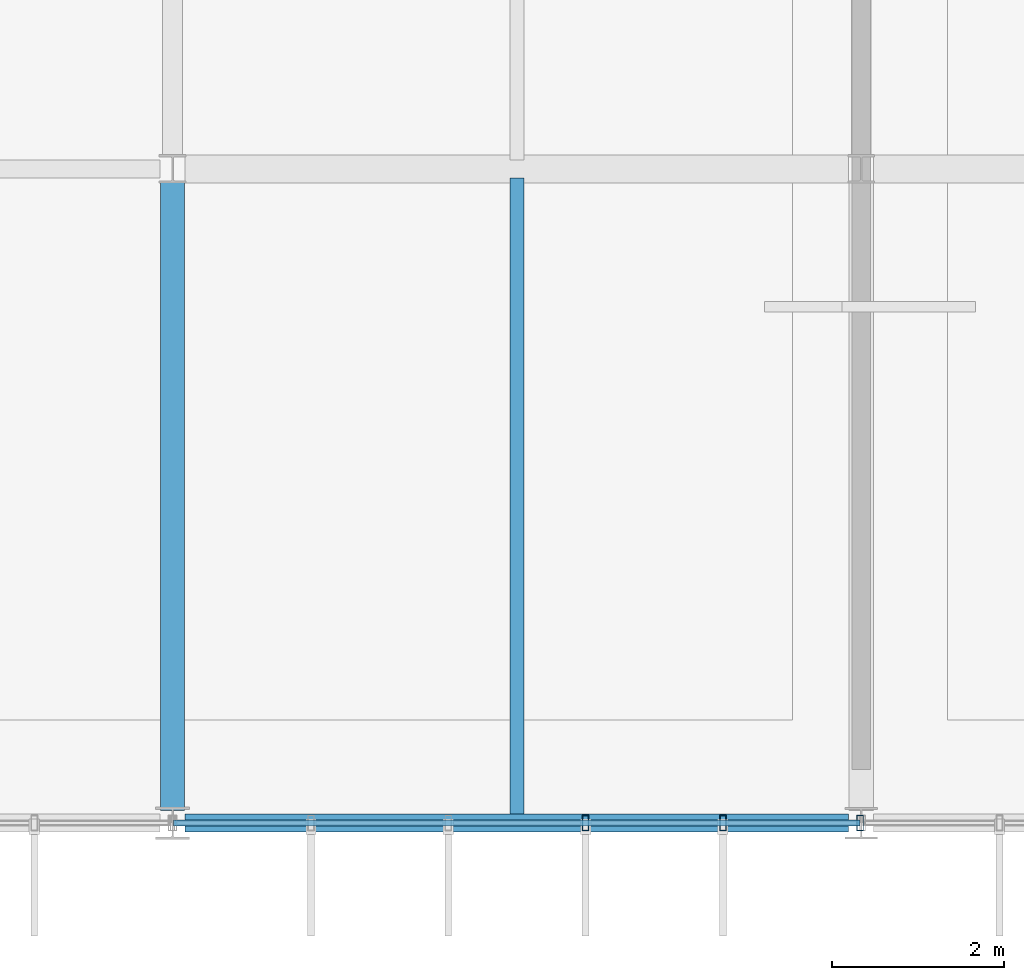
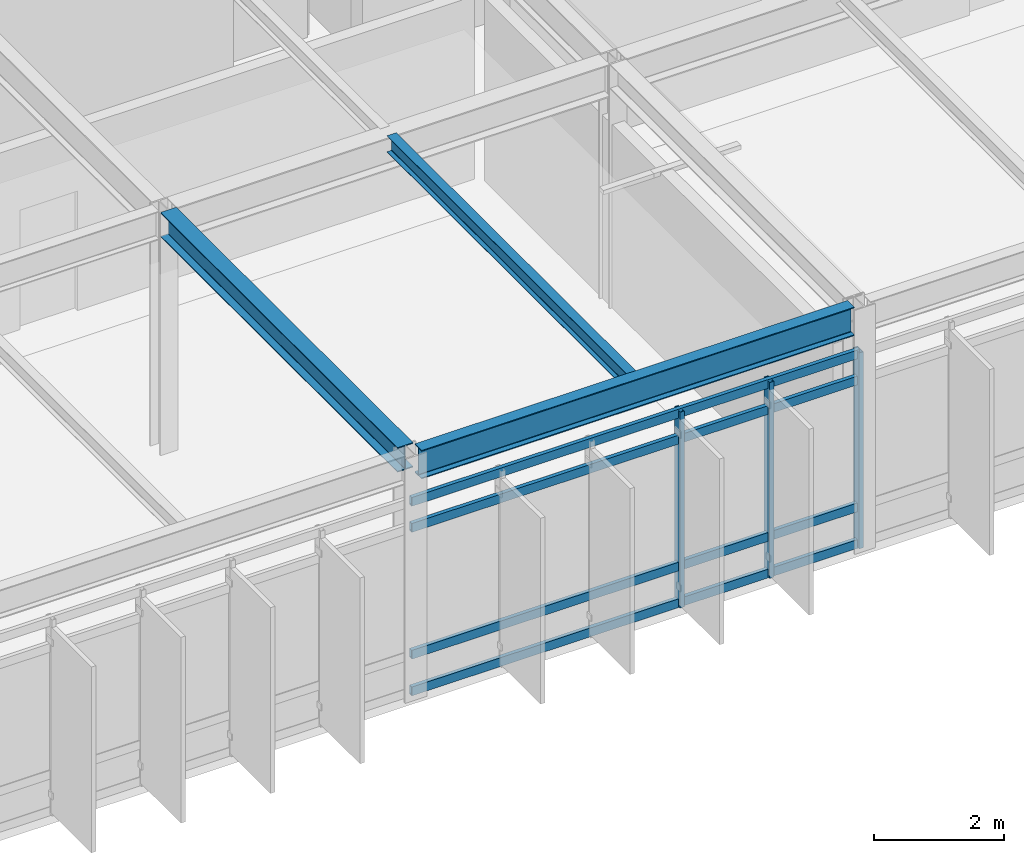
# One storey, part 20 of 100: 7 members, 3 beams, 1 element without a shape of its own.
"""IFC4 building model written with IfcOpenShell, lengths in metres."""

import ifcopenshell
import ifcopenshell.guid

model = None  # the IFC model being written
_history = None  # IfcOwnerHistory: only IFC2X3 demands one
_inside = {}  # id of a spatial element -> (the spatial element, [elements in it])
_under = {}  # id of a project, library or spatial element -> (it, [spatial elements below it])
_declared = {}  # id of a project -> (the project, [libraries it declares])
_typed = {}  # id of a type object -> (the type object, [elements of that type])
_made_of = {}  # id of a material, layer set ... -> (it, [elements and type objects made of it])


def new_model(schema):
    """Start an empty IFC model of exactly this schema.

    Asked for "IFC4X3", IfcOpenShell would pick the latest addendum, in which some entities
    have other attributes; the version numbers below select the first issue.
    IFC2X3 requires an IfcOwnerHistory on every rooted entity: one is made here for all.
    """
    global model, _history
    if schema == "IFC4X3":
        model = ifcopenshell.file(schema_version=(4, 3, 0, 0))
    else:
        model = ifcopenshell.file(schema=schema)
    _inside.clear()
    _under.clear()
    _declared.clear()
    _typed.clear()
    _made_of.clear()
    _history = None
    if model.schema == "IFC2X3":
        org = make("IfcOrganization", Name="unknown")
        user = make(
            "IfcPersonAndOrganization",
            ThePerson=make("IfcPerson", FamilyName="unknown"),
            TheOrganization=org,
        )
        app = make(
            "IfcApplication",
            ApplicationDeveloper=org,
            Version="unknown",
            ApplicationFullName="unknown",
            ApplicationIdentifier="unknown",
        )
        _history = make(
            "IfcOwnerHistory",
            OwningUser=user,
            OwningApplication=app,
            ChangeAction="ADDED",
            CreationDate=0,
        )
    return model


def make(cls, **values):
    """One entity of the class cls with the attributes given. An attribute that is None is left unset."""
    return model.create_entity(
        cls, **{name: value for name, value in values.items() if value is not None}
    )


def rooted(cls, **values):
    """An entity with a GlobalId (a new one), such as an element, a storey or a relation."""
    return make(cls, GlobalId=ifcopenshell.guid.new(), OwnerHistory=_history, **values)


def si_unit(unit_type, name, prefix=None):
    """IfcSIUnit, for example si_unit("LENGTHUNIT", "METRE", prefix="MILLI")."""
    return make("IfcSIUnit", UnitType=unit_type, Prefix=prefix, Name=name)


def assignment(units):
    """IfcUnitAssignment: the units of a project."""
    return None if units is None else make("IfcUnitAssignment", Units=units)


def point(xyz):
    """IfcCartesianPoint."""
    return None if xyz is None else make("IfcCartesianPoint", Coordinates=xyz)


def direction(xyz):
    """IfcDirection."""
    return None if xyz is None else make("IfcDirection", DirectionRatios=xyz)


def frame(location, z_axis=None, x_axis=None):
    """IfcAxis2Placement3D, a coordinate frame: its origin and axes. An axis left out is left unset."""
    return make(
        "IfcAxis2Placement3D",
        Location=point(location),
        Axis=direction(z_axis),
        RefDirection=direction(x_axis),
    )


def frame_2d(location, x_axis=None):
    """IfcAxis2Placement2D, a coordinate frame in the plane: its origin and x axis."""
    return make(
        "IfcAxis2Placement2D", Location=point(location), RefDirection=direction(x_axis)
    )


def origin():
    """The frame at (0, 0, 0) with its axes left unset."""
    return frame((0.0, 0.0, 0.0))


def origin_2d():
    """The frame at (0, 0) in the plane with its x axis left unset."""
    return frame_2d((0.0, 0.0))


def place(relative_to, where):
    """IfcLocalPlacement: puts the frame where relative to a parent placement (None: the world)."""
    return make(
        "IfcLocalPlacement", PlacementRelTo=relative_to, RelativePlacement=where
    )


def context(
    kind, dimensions, precision=None, world=None, true_north=None, identifier=None
):
    """IfcGeometricRepresentationContext, for example the 3D "Model" context."""
    return make(
        "IfcGeometricRepresentationContext",
        ContextIdentifier=identifier,
        ContextType=kind,
        CoordinateSpaceDimension=dimensions,
        Precision=precision,
        WorldCoordinateSystem=world,
        TrueNorth=true_north,
    )


def subcontext(parent, identifier, kind, view, scale=None):
    """IfcGeometricRepresentationSubContext, for example "Body" below "Model"."""
    return make(
        "IfcGeometricRepresentationSubContext",
        ContextIdentifier=identifier,
        ContextType=kind,
        ParentContext=parent,
        TargetScale=scale,
        TargetView=view,
    )


def project(units=None, contexts=None):
    """IfcProject with its units and contexts."""
    return rooted(
        "IfcProject",
        Name="project",
        RepresentationContexts=contexts,
        UnitsInContext=assignment(units),
    )


def spatial(cls, under=None, at=None, **own):
    """A site, building, storey or space (cls), placed at a placement, below another one or the project."""
    s = rooted(cls, ObjectPlacement=at, **own)
    if under is not None:
        _under.setdefault(under.id(), (under, []))[1].append(s)
    return s


def profile(cls, at=None, kind="AREA", **sizes):
    """A parametric profile (cls). Its sizes go by their IFC names, for example OverallWidth=200.0."""
    return make(cls, ProfileType=kind, Position=at, **sizes)


def hollow_rectangle(**sizes):
    """IfcRectangleHollowProfileDef."""
    return profile("IfcRectangleHollowProfileDef", **sizes)


def i_section(**sizes):
    """IfcIShapeProfileDef."""
    return profile("IfcIShapeProfileDef", **sizes)


def extrude(swept, where, along, depth):
    """IfcExtrudedAreaSolid: the profile swept, set in the frame where, extruded along a direction by depth."""
    return make(
        "IfcExtrudedAreaSolid",
        SweptArea=swept,
        Position=where,
        ExtrudedDirection=direction(along),
        Depth=depth,
    )


def shape(context_of_items, identifier, shape_type, items):
    """IfcShapeRepresentation: the items that make up one representation, for example the "Body"."""
    return make(
        "IfcShapeRepresentation",
        ContextOfItems=context_of_items,
        RepresentationIdentifier=identifier,
        RepresentationType=shape_type,
        Items=items,
    )


def material(Name=None, Category=None):
    """IfcMaterial."""
    return make("IfcMaterial", Name=Name, Category=Category)


def material_profile(
    of_material, cross_section, Name=None, Category=None, Priority=None
):
    """IfcMaterialProfile: a cross section and its material."""
    return make(
        "IfcMaterialProfile",
        Name=Name,
        Material=of_material,
        Profile=cross_section,
        Priority=Priority,
        Category=Category,
    )


def profile_set(profiles, Name=None, composite=None):
    """IfcMaterialProfileSet."""
    return make(
        "IfcMaterialProfileSet",
        Name=Name,
        MaterialProfiles=profiles,
        CompositeProfile=composite,
    )


def made_of(thing, what):
    """Note that an element or type object is made of a material, layer set ...; save() writes the relation."""
    if what is not None:
        _made_of.setdefault(what.id(), (what, []))[1].append(thing)
    return thing


def type_object(cls, material=None, **own):
    """A type object (cls), such as IfcWallType, which elements share."""
    return made_of(rooted(cls, **own), material)


def element(
    cls,
    number,
    at=None,
    inside=None,
    cuts=None,
    type_object=None,
    material=None,
    context=None,
    identifier="Body",
    shape_type=None,
    held_by="IfcProductDefinitionShape",
    body=None,
    shapes=None,
    **own,
):
    """One element of the class cls, such as IfcWall. Its Tag is "e" and its number.

    at: its placement. inside: the storey or other place that contains it. cuts: it is an
    opening in that element (IfcRelVoidsElement). A single representation is given by context,
    identifier, shape_type and body (its items); several are given by shapes. held_by: the class
    of the entity that holds the representations. save() writes the other relations.
    """
    e = rooted(cls, Tag="e%d" % number, ObjectPlacement=at, **own)
    if body is not None:
        shapes = [shape(context, identifier, shape_type, body)]
    if shapes is not None:
        e.Representation = make(held_by, Representations=shapes)
    if inside is not None:
        _inside.setdefault(inside.id(), (inside, []))[1].append(e)
    if cuts is not None:
        rooted(
            "IfcRelVoidsElement", RelatingBuildingElement=cuts, RelatedOpeningElement=e
        )
    if type_object is not None:
        _typed.setdefault(type_object.id(), (type_object, []))[1].append(e)
    return made_of(e, material)


def aggregate(whole, parts):
    """IfcRelAggregates: a whole, such as a stair, and the parts it consists of."""
    return rooted("IfcRelAggregates", RelatingObject=whole, RelatedObjects=parts)


def save(model, path):
    """Write the relations noted so far, then the file.

    IfcRelAggregates (storeys below a building ...), IfcRelContainedInSpatialStructure (elements
    in a storey), IfcRelDefinesByType, IfcRelAssociatesMaterial and IfcRelDeclares: one each for
    every whole, place, type object, material and project.
    """
    for whole, parts in _under.values():
        aggregate(whole, parts)
    for where, things in _inside.values():
        rooted(
            "IfcRelContainedInSpatialStructure",
            RelatedElements=things,
            RelatingStructure=where,
        )
    for kind, things in _typed.values():
        rooted("IfcRelDefinesByType", RelatedObjects=things, RelatingType=kind)
    for what, things in _made_of.values():
        rooted("IfcRelAssociatesMaterial", RelatedObjects=things, RelatingMaterial=what)
    for by, libraries in _declared.values():
        rooted("IfcRelDeclares", RelatingContext=by, RelatedDefinitions=libraries)
    model.write(path)


model = new_model("IFC4")

# Units and contexts
model_context = context("Model", 3, precision=1e-05, world=origin(), true_north=direction((0.0, 1.0)))
body_context = subcontext(model_context, "Body", "Model", "MODEL_VIEW")
ifc_project = project(units=[si_unit("LENGTHUNIT", "METRE"), si_unit("AREAUNIT", "SQUARE_METRE"), si_unit("VOLUMEUNIT", "CUBIC_METRE"), si_unit("PLANEANGLEUNIT", "RADIAN"), si_unit("MASSUNIT", "GRAM", prefix="KILO")], contexts=[model_context])

# Site, building, storey
site_placement = place(None, origin())
site = spatial("IfcSite", under=ifc_project, at=site_placement, CompositionType="ELEMENT")
building_placement = place(site_placement, origin())
building = spatial("IfcBuilding", under=site, at=building_placement, Name="Zulena Civic Courthouse", CompositionType="ELEMENT")
storey_placement = place(building_placement, frame((0.0, 0.0, 20.39990234375)))
storey = spatial("IfcBuildingStorey", under=building, at=storey_placement, Name="L04", CompositionType="ELEMENT", Elevation=20.39990234375)

# Curtain wall, members
ifc_material_1 = material(Name="Double-silver low-E laminated solar-control glass", Category="glass")
curtain_wall_type = type_object("IfcCurtainWallType", Name="CW_7976x3690", PredefinedType="USERDEFINED", material=ifc_material_1)
curtain_wall_placement = place(storey_placement, origin())
curtain_wall = element("IfcCurtainWall", 1, at=curtain_wall_placement, inside=storey, type_object=curtain_wall_type, Name="cw:V2:L04:3:6", ObjectType="UNITISED CURTAIN WALL", PredefinedType="USERDEFINED")
ifc_material_2 = material(Name="Bronze anodised thermally broken aluminium AA6063-T6", Category="aluminium")
ifc_material_profile_1 = material_profile(ifc_material_2, hollow_rectangle(XDim=0.074951171875, YDim=0.179931640625, WallThickness=0.0048828125, at=origin_2d()), Name="CWM180X75X5")
ifc_profile_set_1 = profile_set([ifc_material_profile_1], Name="Bronze anodised thermally broken aluminium AA6063-T6")
member_type_1 = type_object("IfcMemberType", Name="CWMullion_180x75", PredefinedType="MULLION", material=ifc_profile_set_1)
member_1_placement = place(storey_placement, frame((19.988037109375, 0.0, 0.0), z_axis=(0.0, 0.0, 1.0), x_axis=(1.0, 0.0, 0.0)))
member_1 = element("IfcMember", 2, at=member_1_placement, type_object=member_type_1, Name="cw:V2:L04:3:6:mull:0", PredefinedType="MULLION", context=body_context, shape_type="SweptSolid", body=[
    extrude(hollow_rectangle(XDim=0.074951171875, YDim=0.179931640625, WallThickness=0.0048828125, at=origin_2d()), origin(), (0.0, 0.0, 1.0), 3.690185546875),
])
member_2_placement = place(storey_placement, frame((18.392822265625, 0.0, 0.0), z_axis=(0.0, 0.0, 1.0), x_axis=(1.0, 0.0, 0.0)))
member_2 = element("IfcMember", 3, at=member_2_placement, type_object=member_type_1, Name="cw:V2:L04:3:6:mull:1", PredefinedType="MULLION", context=body_context, shape_type="SweptSolid", body=[
    extrude(hollow_rectangle(XDim=0.074951171875, YDim=0.179931640625, WallThickness=0.0048828125, at=origin_2d()), origin(), (0.0, 0.0, 1.0), 3.690185546875),
])
member_3_placement = place(storey_placement, frame((16.797607421875, 0.0, 0.0), z_axis=(0.0, 0.0, 1.0), x_axis=(1.0, 0.0, 0.0)))
member_3 = element("IfcMember", 4, at=member_3_placement, type_object=member_type_1, Name="cw:V2:L04:3:6:mull:2", PredefinedType="MULLION", context=body_context, shape_type="SweptSolid", body=[
    extrude(hollow_rectangle(XDim=0.074951171875, YDim=0.179931640625, WallThickness=0.0048828125, at=origin_2d()), origin(), (0.0, 0.0, 1.0), 3.690185546875),
])
ifc_material_profile_2 = material_profile(ifc_material_2, hollow_rectangle(XDim=0.070068359375, YDim=0.1650390625, WallThickness=0.00390625, at=origin_2d()), Name="CWT165X70X4")
ifc_profile_set_2 = profile_set([ifc_material_profile_2], Name="Bronze anodised thermally broken aluminium AA6063-T6")
member_type_2 = type_object("IfcMemberType", Name="CWTransom_165x70", PredefinedType="USERDEFINED", material=ifc_profile_set_2)
member_4_placement = place(storey_placement, frame((19.988037109375, 0.0, 0.06005859375), z_axis=(-1.0, 0.0, 0.0), x_axis=(0.0, -1.0, 0.0)))
member_4 = element("IfcMember", 5, at=member_4_placement, type_object=member_type_2, Name="cw:V2:L04:3:6:tran:0", ObjectType="TRANSOM", PredefinedType="USERDEFINED", context=body_context, shape_type="SweptSolid", body=[
    extrude(hollow_rectangle(XDim=0.070068359375, YDim=0.1650390625, WallThickness=0.00390625, at=origin_2d()), origin(), (0.0, 0.0, 1.0), 7.97607421875),
])
member_5_placement = place(storey_placement, frame((19.988037109375, 0.0, 0.75), z_axis=(-1.0, 0.0, 0.0), x_axis=(0.0, -1.0, 0.0)))
member_5 = element("IfcMember", 6, at=member_5_placement, type_object=member_type_2, Name="cw:V2:L04:3:6:tran:1", ObjectType="TRANSOM", PredefinedType="USERDEFINED", context=body_context, shape_type="SweptSolid", body=[
    extrude(hollow_rectangle(XDim=0.070068359375, YDim=0.1650390625, WallThickness=0.00390625, at=origin_2d()), origin(), (0.0, 0.0, 1.0), 7.97607421875),
])
member_6_placement = place(storey_placement, frame((19.988037109375, 0.0, 3.14013671875), z_axis=(-1.0, 0.0, 0.0), x_axis=(0.0, -1.0, 0.0)))
member_6 = element("IfcMember", 7, at=member_6_placement, type_object=member_type_2, Name="cw:V2:L04:3:6:tran:2", ObjectType="TRANSOM", PredefinedType="USERDEFINED", context=body_context, shape_type="SweptSolid", body=[
    extrude(hollow_rectangle(XDim=0.070068359375, YDim=0.1650390625, WallThickness=0.00390625, at=origin_2d()), origin(), (0.0, 0.0, 1.0), 7.97607421875),
])
member_7_placement = place(storey_placement, frame((19.988037109375, 0.0, 3.630126953125), z_axis=(-1.0, 0.0, 0.0), x_axis=(0.0, -1.0, 0.0)))
member_7 = element("IfcMember", 8, at=member_7_placement, type_object=member_type_2, Name="cw:V2:L04:3:6:tran:3", ObjectType="TRANSOM", PredefinedType="USERDEFINED", context=body_context, shape_type="SweptSolid", body=[
    extrude(hollow_rectangle(XDim=0.070068359375, YDim=0.1650390625, WallThickness=0.00390625, at=origin_2d()), origin(), (0.0, 0.0, 1.0), 7.97607421875),
])
aggregate(curtain_wall, [member_1, member_2, member_3, member_4, member_5, member_6, member_7])

# Beams
ifc_material_3 = material(Name="Steel ASTM A992 Grade 50", Category="steel")
ifc_material_profile_3 = material_profile(ifc_material_3, i_section(OverallWidth=0.1650390625, OverallDepth=0.31005859375, WebThickness=0.005859375, FlangeThickness=0.009765625, FilletRadius=0.009765625, at=origin_2d()), Name="W12X26")
ifc_profile_set_3 = profile_set([ifc_material_profile_3], Name="Steel ASTM A992 Grade 50")
beam_type_1 = type_object("IfcBeamType", Name="Joist_W12X26", PredefinedType="JOIST", material=ifc_profile_set_3)
beam_1_placement = place(storey_placement, frame((16.0, 0.10498046875, 4.440185546875), z_axis=(0.0, 1.0, 0.0), x_axis=(-1.0, 0.0, 0.0)))
element("IfcBeam", 9, at=beam_1_placement, inside=storey, type_object=beam_type_1, Name="joist:V2:L04:16.00:0.0_7.6", PredefinedType="JOIST", context=body_context, shape_type="SweptSolid", body=[
    extrude(i_section(OverallWidth=0.1650390625, OverallDepth=0.31005859375, WebThickness=0.005859375, FlangeThickness=0.009765625, FilletRadius=0.009765625, at=origin_2d()), origin(), (0.0, 0.0, 1.0), 7.39013671875),
])
ifc_material_profile_4 = material_profile(ifc_material_3, i_section(OverallWidth=0.280029296875, OverallDepth=0.462890625, WebThickness=0.0107421875, FlangeThickness=0.017333984375, FilletRadius=0.01025390625, at=origin_2d()), Name="W18X76")
ifc_profile_set_4 = profile_set([ifc_material_profile_4], Name="Steel ASTM A992 Grade 50")
beam_type_2 = type_object("IfcBeamType", Name="Spandrel_W18X76", PredefinedType="SPANDREL", material=ifc_profile_set_4)
beam_2_placement = place(storey_placement, frame((12.0, 0.14501953125, 4.363525390625), z_axis=(0.0, 1.0, 0.0), x_axis=(-1.0, 0.0, 0.0)))
element("IfcBeam", 10, at=beam_2_placement, inside=storey, type_object=beam_type_2, Name="beam:Y:V2:L04:12.0:0.0_7.6", PredefinedType="SPANDREL", context=body_context, shape_type="SweptSolid", body=[
    extrude(i_section(OverallWidth=0.280029296875, OverallDepth=0.462890625, WebThickness=0.0107421875, FlangeThickness=0.017333984375, FilletRadius=0.01025390625, at=origin_2d()), origin(), (0.0, 0.0, 1.0), 7.31005859375),
])
ifc_material_profile_5 = material_profile(ifc_material_3, i_section(OverallWidth=0.2099609375, OverallDepth=0.537109375, WebThickness=0.010986328125, FlangeThickness=0.017333984375, FilletRadius=0.0126953125, at=origin_2d()), Name="W21X68")
ifc_profile_set_5 = profile_set([ifc_material_profile_5], Name="Steel ASTM A992 Grade 50")
beam_type_3 = type_object("IfcBeamType", Name="Spandrel_W21X68", PredefinedType="SPANDREL", material=ifc_profile_set_5)
beam_3_placement = place(storey_placement, frame((12.14501953125, 0.0, 4.32666015625), z_axis=(1.0, 0.0, 0.0), x_axis=(0.0, 1.0, 0.0)))
element("IfcBeam", 11, at=beam_3_placement, inside=storey, type_object=beam_type_3, Name="beam:X:V2:L04:0.0:12.0_20.0", PredefinedType="SPANDREL", context=body_context, shape_type="SweptSolid", body=[
    extrude(i_section(OverallWidth=0.2099609375, OverallDepth=0.537109375, WebThickness=0.010986328125, FlangeThickness=0.017333984375, FilletRadius=0.0126953125, at=origin_2d()), origin(), (0.0, 0.0, 1.0), 7.7099609375),
])

save(model, "model.ifc")
